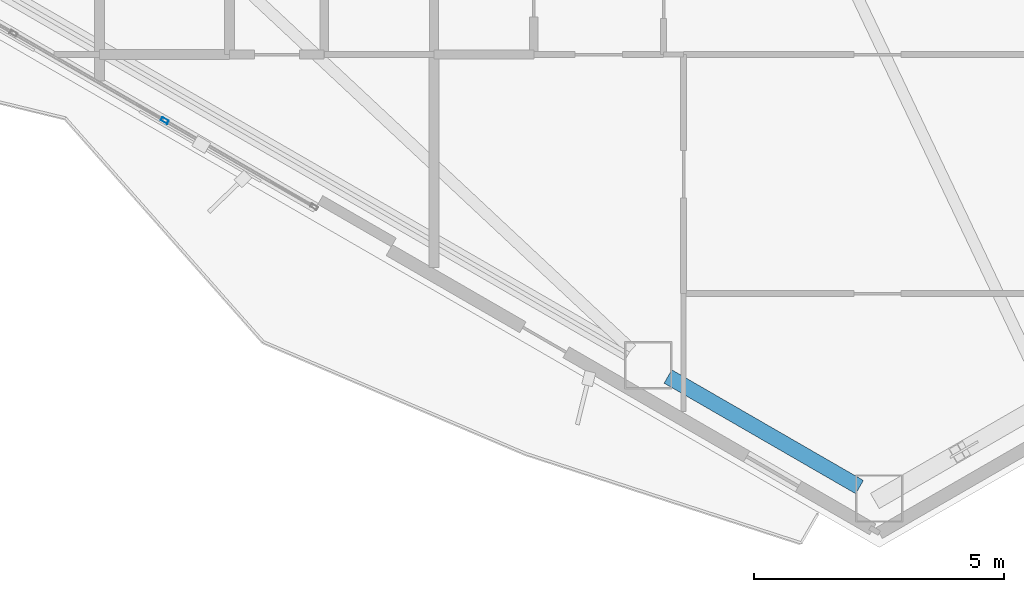
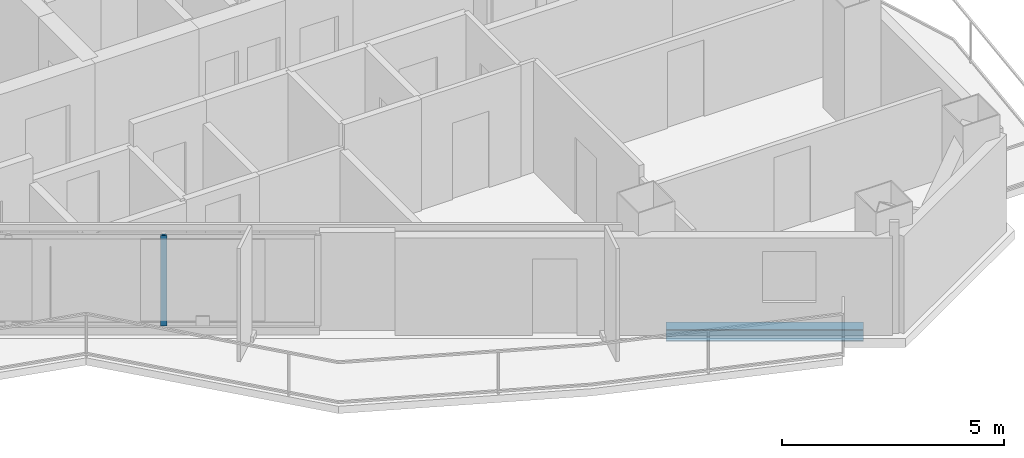
# One storey, part 3 of 19: 1 beam, 1 member, 1 element without a shape of its own.
"""IFC4 building model written with IfcOpenShell, lengths in metres."""

import ifcopenshell
import ifcopenshell.guid

model = None  # the IFC model being written
_history = None  # IfcOwnerHistory: only IFC2X3 demands one
_inside = {}  # id of a spatial element -> (the spatial element, [elements in it])
_under = {}  # id of a project, library or spatial element -> (it, [spatial elements below it])
_declared = {}  # id of a project -> (the project, [libraries it declares])
_typed = {}  # id of a type object -> (the type object, [elements of that type])
_made_of = {}  # id of a material, layer set ... -> (it, [elements and type objects made of it])


def new_model(schema):
    """Start an empty IFC model of exactly this schema.

    Asked for "IFC4X3", IfcOpenShell would pick the latest addendum, in which some entities
    have other attributes; the version numbers below select the first issue.
    IFC2X3 requires an IfcOwnerHistory on every rooted entity: one is made here for all.
    """
    global model, _history
    if schema == "IFC4X3":
        model = ifcopenshell.file(schema_version=(4, 3, 0, 0))
    else:
        model = ifcopenshell.file(schema=schema)
    _inside.clear()
    _under.clear()
    _declared.clear()
    _typed.clear()
    _made_of.clear()
    _history = None
    if model.schema == "IFC2X3":
        org = make("IfcOrganization", Name="unknown")
        user = make(
            "IfcPersonAndOrganization",
            ThePerson=make("IfcPerson", FamilyName="unknown"),
            TheOrganization=org,
        )
        app = make(
            "IfcApplication",
            ApplicationDeveloper=org,
            Version="unknown",
            ApplicationFullName="unknown",
            ApplicationIdentifier="unknown",
        )
        _history = make(
            "IfcOwnerHistory",
            OwningUser=user,
            OwningApplication=app,
            ChangeAction="ADDED",
            CreationDate=0,
        )
    return model


def make(cls, **values):
    """One entity of the class cls with the attributes given. An attribute that is None is left unset."""
    return model.create_entity(
        cls, **{name: value for name, value in values.items() if value is not None}
    )


def rooted(cls, **values):
    """An entity with a GlobalId (a new one), such as an element, a storey or a relation."""
    return make(cls, GlobalId=ifcopenshell.guid.new(), OwnerHistory=_history, **values)


def si_unit(unit_type, name, prefix=None):
    """IfcSIUnit, for example si_unit("LENGTHUNIT", "METRE", prefix="MILLI")."""
    return make("IfcSIUnit", UnitType=unit_type, Prefix=prefix, Name=name)


def assignment(units):
    """IfcUnitAssignment: the units of a project."""
    return None if units is None else make("IfcUnitAssignment", Units=units)


def point(xyz):
    """IfcCartesianPoint."""
    return None if xyz is None else make("IfcCartesianPoint", Coordinates=xyz)


def direction(xyz):
    """IfcDirection."""
    return None if xyz is None else make("IfcDirection", DirectionRatios=xyz)


def frame(location, z_axis=None, x_axis=None):
    """IfcAxis2Placement3D, a coordinate frame: its origin and axes. An axis left out is left unset."""
    return make(
        "IfcAxis2Placement3D",
        Location=point(location),
        Axis=direction(z_axis),
        RefDirection=direction(x_axis),
    )


def frame_2d(location, x_axis=None):
    """IfcAxis2Placement2D, a coordinate frame in the plane: its origin and x axis."""
    return make(
        "IfcAxis2Placement2D", Location=point(location), RefDirection=direction(x_axis)
    )


def origin():
    """The frame at (0, 0, 0) with its axes left unset."""
    return frame((0.0, 0.0, 0.0))


def origin_2d():
    """The frame at (0, 0) in the plane with its x axis left unset."""
    return frame_2d((0.0, 0.0))


def place(relative_to, where):
    """IfcLocalPlacement: puts the frame where relative to a parent placement (None: the world)."""
    return make(
        "IfcLocalPlacement", PlacementRelTo=relative_to, RelativePlacement=where
    )


def context(
    kind, dimensions, precision=None, world=None, true_north=None, identifier=None
):
    """IfcGeometricRepresentationContext, for example the 3D "Model" context."""
    return make(
        "IfcGeometricRepresentationContext",
        ContextIdentifier=identifier,
        ContextType=kind,
        CoordinateSpaceDimension=dimensions,
        Precision=precision,
        WorldCoordinateSystem=world,
        TrueNorth=true_north,
    )


def subcontext(parent, identifier, kind, view, scale=None):
    """IfcGeometricRepresentationSubContext, for example "Body" below "Model"."""
    return make(
        "IfcGeometricRepresentationSubContext",
        ContextIdentifier=identifier,
        ContextType=kind,
        ParentContext=parent,
        TargetScale=scale,
        TargetView=view,
    )


def project(units=None, contexts=None):
    """IfcProject with its units and contexts."""
    return rooted(
        "IfcProject",
        Name="project",
        RepresentationContexts=contexts,
        UnitsInContext=assignment(units),
    )


def spatial(cls, under=None, at=None, **own):
    """A site, building, storey or space (cls), placed at a placement, below another one or the project."""
    s = rooted(cls, ObjectPlacement=at, **own)
    if under is not None:
        _under.setdefault(under.id(), (under, []))[1].append(s)
    return s


def profile(cls, at=None, kind="AREA", **sizes):
    """A parametric profile (cls). Its sizes go by their IFC names, for example OverallWidth=200.0."""
    return make(cls, ProfileType=kind, Position=at, **sizes)


def hollow_rectangle(**sizes):
    """IfcRectangleHollowProfileDef."""
    return profile("IfcRectangleHollowProfileDef", **sizes)


def i_section(**sizes):
    """IfcIShapeProfileDef."""
    return profile("IfcIShapeProfileDef", **sizes)


def extrude(swept, where, along, depth):
    """IfcExtrudedAreaSolid: the profile swept, set in the frame where, extruded along a direction by depth."""
    return make(
        "IfcExtrudedAreaSolid",
        SweptArea=swept,
        Position=where,
        ExtrudedDirection=direction(along),
        Depth=depth,
    )


def shape(context_of_items, identifier, shape_type, items):
    """IfcShapeRepresentation: the items that make up one representation, for example the "Body"."""
    return make(
        "IfcShapeRepresentation",
        ContextOfItems=context_of_items,
        RepresentationIdentifier=identifier,
        RepresentationType=shape_type,
        Items=items,
    )


def material(Name=None, Category=None):
    """IfcMaterial."""
    return make("IfcMaterial", Name=Name, Category=Category)


def layer(
    of_material, thickness, ventilated=None, Name=None, Category=None, Priority=None
):
    """IfcMaterialLayer: one layer of a wall or slab, of a material (None: an air gap)."""
    return make(
        "IfcMaterialLayer",
        Material=of_material,
        LayerThickness=thickness,
        IsVentilated=ventilated,
        Name=Name,
        Category=Category,
        Priority=Priority,
    )


def layer_set(layers, Name=None):
    """IfcMaterialLayerSet."""
    return make("IfcMaterialLayerSet", MaterialLayers=layers, LayerSetName=Name)


def material_profile(
    of_material, cross_section, Name=None, Category=None, Priority=None
):
    """IfcMaterialProfile: a cross section and its material."""
    return make(
        "IfcMaterialProfile",
        Name=Name,
        Material=of_material,
        Profile=cross_section,
        Priority=Priority,
        Category=Category,
    )


def profile_set(profiles, Name=None, composite=None):
    """IfcMaterialProfileSet."""
    return make(
        "IfcMaterialProfileSet",
        Name=Name,
        MaterialProfiles=profiles,
        CompositeProfile=composite,
    )


def made_of(thing, what):
    """Note that an element or type object is made of a material, layer set ...; save() writes the relation."""
    if what is not None:
        _made_of.setdefault(what.id(), (what, []))[1].append(thing)
    return thing


def type_object(cls, material=None, **own):
    """A type object (cls), such as IfcWallType, which elements share."""
    return made_of(rooted(cls, **own), material)


def element(
    cls,
    number,
    at=None,
    inside=None,
    cuts=None,
    type_object=None,
    material=None,
    context=None,
    identifier="Body",
    shape_type=None,
    held_by="IfcProductDefinitionShape",
    body=None,
    shapes=None,
    **own,
):
    """One element of the class cls, such as IfcWall. Its Tag is "e" and its number.

    at: its placement. inside: the storey or other place that contains it. cuts: it is an
    opening in that element (IfcRelVoidsElement). A single representation is given by context,
    identifier, shape_type and body (its items); several are given by shapes. held_by: the class
    of the entity that holds the representations. save() writes the other relations.
    """
    e = rooted(cls, Tag="e%d" % number, ObjectPlacement=at, **own)
    if body is not None:
        shapes = [shape(context, identifier, shape_type, body)]
    if shapes is not None:
        e.Representation = make(held_by, Representations=shapes)
    if inside is not None:
        _inside.setdefault(inside.id(), (inside, []))[1].append(e)
    if cuts is not None:
        rooted(
            "IfcRelVoidsElement", RelatingBuildingElement=cuts, RelatedOpeningElement=e
        )
    if type_object is not None:
        _typed.setdefault(type_object.id(), (type_object, []))[1].append(e)
    return made_of(e, material)


def aggregate(whole, parts):
    """IfcRelAggregates: a whole, such as a stair, and the parts it consists of."""
    return rooted("IfcRelAggregates", RelatingObject=whole, RelatedObjects=parts)


def save(model, path):
    """Write the relations noted so far, then the file.

    IfcRelAggregates (storeys below a building ...), IfcRelContainedInSpatialStructure (elements
    in a storey), IfcRelDefinesByType, IfcRelAssociatesMaterial and IfcRelDeclares: one each for
    every whole, place, type object, material and project.
    """
    for whole, parts in _under.values():
        aggregate(whole, parts)
    for where, things in _inside.values():
        rooted(
            "IfcRelContainedInSpatialStructure",
            RelatedElements=things,
            RelatingStructure=where,
        )
    for kind, things in _typed.values():
        rooted("IfcRelDefinesByType", RelatedObjects=things, RelatingType=kind)
    for what, things in _made_of.values():
        rooted("IfcRelAssociatesMaterial", RelatedObjects=things, RelatingMaterial=what)
    for by, libraries in _declared.values():
        rooted("IfcRelDeclares", RelatingContext=by, RelatedDefinitions=libraries)
    model.write(path)


model = new_model("IFC4")

# Units and contexts
model_context = context("Model", 3, precision=1e-05, world=origin(), true_north=direction((0.0, 1.0)))
body_context = subcontext(model_context, "Body", "Model", "MODEL_VIEW")
ifc_project = project(units=[si_unit("LENGTHUNIT", "METRE"), si_unit("AREAUNIT", "SQUARE_METRE"), si_unit("VOLUMEUNIT", "CUBIC_METRE"), si_unit("PLANEANGLEUNIT", "RADIAN"), si_unit("MASSUNIT", "GRAM", prefix="KILO")], contexts=[model_context])

# Site, building, storey
site_placement = place(None, origin())
site = spatial("IfcSite", under=ifc_project, at=site_placement, CompositionType="ELEMENT")
building_placement = place(site_placement, origin())
building = spatial("IfcBuilding", under=site, at=building_placement, Name="Mersakhor Tower and Convention Hall", CompositionType="ELEMENT")
storey_placement = place(building_placement, frame((0.0, 0.0, 144.300048828125)))
storey = spatial("IfcBuildingStorey", under=building, at=storey_placement, Name="L40", CompositionType="ELEMENT", Elevation=144.300048828125)

# Beam
ifc_material_1 = material(Name="Steel S355", Category="steel")
ifc_material_profile_1 = material_profile(ifc_material_1, i_section(OverallWidth=0.30908203125, OverallDepth=0.320556640625, WebThickness=0.013916015625, FlangeThickness=0.021728515625, at=origin_2d()), Name="UC 305x305x137")
ifc_profile_set_1 = profile_set([ifc_material_profile_1], Name="Steel S355")
beam_type = type_object("IfcBeamType", Name="BM-SPD-UC305", PredefinedType="SPANDREL", material=ifc_profile_set_1)
beam_placement = place(storey_placement, frame((37.826416015625, 7.082763671875, -0.400146484375), z_axis=(-0.866038875684, 0.49997666526, 0.0), x_axis=(-0.49997666526, -0.866038875684, 0.0)))
element("IfcBeam", 1, at=beam_placement, inside=storey, type_object=beam_type, Name="L40 Perimeter Spandrel Beam SPB-09", PredefinedType="SPANDREL", context=body_context, shape_type="SweptSolid", body=[
    extrude(i_section(OverallWidth=0.30908203125, OverallDepth=0.320556640625, WebThickness=0.013916015625, FlangeThickness=0.021728515625, at=origin_2d()), origin(), (0.0, 0.0, 1.0), 4.433837890625),
])

# Curtain wall, member
ifc_material_2 = material(Name="Dark solar low-E aluminium curtain wall", Category="aluminium")
ifc_layer = layer(ifc_material_2, 0.169921875)
ifc_layer_set = layer_set([ifc_layer], Name="Dark solar low-E aluminium curtain wall")
curtain_wall_type = type_object("IfcCurtainWallType", Name="CW-SYS-02", PredefinedType="USERDEFINED", material=ifc_layer_set)
curtain_wall_placement = place(storey_placement, origin())
curtain_wall = element("IfcCurtainWall", 2, at=curtain_wall_placement, inside=storey, type_object=curtain_wall_type, Name="L40 Dark-Glass Curtain Wall F3-B2", ObjectType="CURTAIN WALL", PredefinedType="USERDEFINED")
ifc_material_3 = material(Name="Anodised aluminium EN AW-6063 T6", Category="aluminium")
ifc_material_profile_2 = material_profile(ifc_material_3, hollow_rectangle(XDim=0.074951171875, YDim=0.14990234375, WallThickness=0.00634765625, at=origin_2d()), Name="RHS 150x75x6.3")
ifc_profile_set_2 = profile_set([ifc_material_profile_2], Name="Anodised aluminium EN AW-6063 T6")
member_type = type_object("IfcMemberType", Name="CWM-150x75", PredefinedType="MULLION", material=ifc_profile_set_2)
member_placement = place(storey_placement, frame((23.904052734375, 14.427978515625, 0.199951171875), z_axis=(0.0, 0.0, 1.0), x_axis=(-0.499990468363, -0.866030906807, 0.0)))
member = element("IfcMember", 3, at=member_placement, type_object=member_type, Name="CW-02 mullion 2", PredefinedType="MULLION", context=body_context, shape_type="SweptSolid", body=[
    extrude(hollow_rectangle(XDim=0.074951171875, YDim=0.14990234375, WallThickness=0.00634765625, at=origin_2d()), origin(), (0.0, 0.0, 1.0), 2.47998046875),
])
aggregate(curtain_wall, [member])

save(model, "model.ifc")
